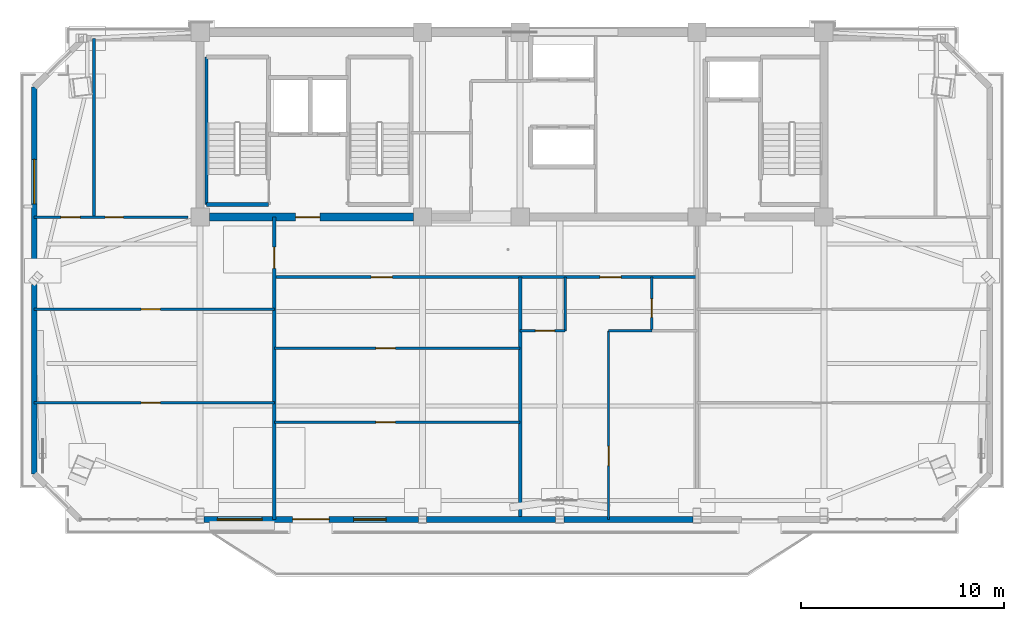
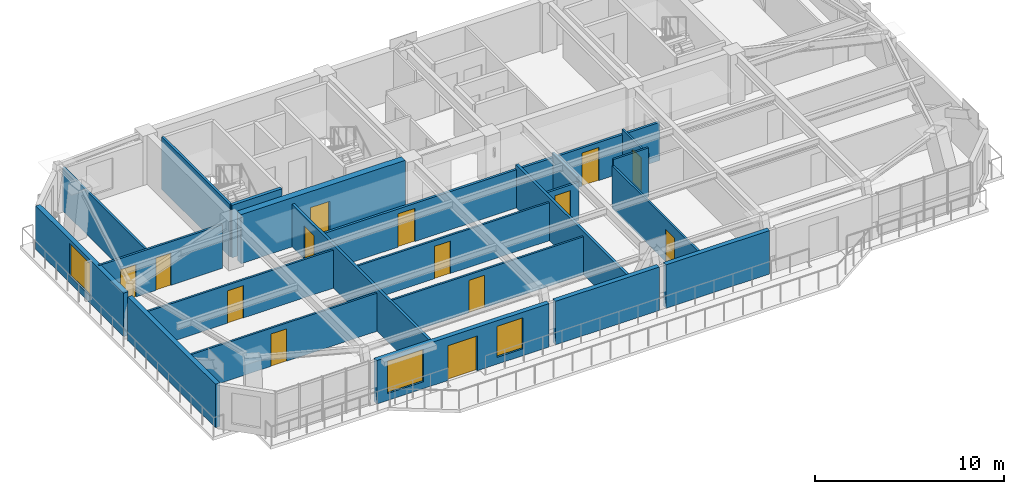
# One storey, part 6 of 12: 22 walls, 14 doors, 3 windows, 17 openings.
"""IFC4 building model written with IfcOpenShell, lengths in metres."""

import ifcopenshell
import ifcopenshell.guid

model = None  # the IFC model being written
_history = None  # IfcOwnerHistory: only IFC2X3 demands one
_inside = {}  # id of a spatial element -> (the spatial element, [elements in it])
_under = {}  # id of a project, library or spatial element -> (it, [spatial elements below it])
_declared = {}  # id of a project -> (the project, [libraries it declares])
_typed = {}  # id of a type object -> (the type object, [elements of that type])
_made_of = {}  # id of a material, layer set ... -> (it, [elements and type objects made of it])


def new_model(schema):
    """Start an empty IFC model of exactly this schema.

    Asked for "IFC4X3", IfcOpenShell would pick the latest addendum, in which some entities
    have other attributes; the version numbers below select the first issue.
    IFC2X3 requires an IfcOwnerHistory on every rooted entity: one is made here for all.
    """
    global model, _history
    if schema == "IFC4X3":
        model = ifcopenshell.file(schema_version=(4, 3, 0, 0))
    else:
        model = ifcopenshell.file(schema=schema)
    _inside.clear()
    _under.clear()
    _declared.clear()
    _typed.clear()
    _made_of.clear()
    _history = None
    if model.schema == "IFC2X3":
        org = make("IfcOrganization", Name="unknown")
        user = make(
            "IfcPersonAndOrganization",
            ThePerson=make("IfcPerson", FamilyName="unknown"),
            TheOrganization=org,
        )
        app = make(
            "IfcApplication",
            ApplicationDeveloper=org,
            Version="unknown",
            ApplicationFullName="unknown",
            ApplicationIdentifier="unknown",
        )
        _history = make(
            "IfcOwnerHistory",
            OwningUser=user,
            OwningApplication=app,
            ChangeAction="ADDED",
            CreationDate=0,
        )
    return model


def make(cls, **values):
    """One entity of the class cls with the attributes given. An attribute that is None is left unset."""
    return model.create_entity(
        cls, **{name: value for name, value in values.items() if value is not None}
    )


def rooted(cls, **values):
    """An entity with a GlobalId (a new one), such as an element, a storey or a relation."""
    return make(cls, GlobalId=ifcopenshell.guid.new(), OwnerHistory=_history, **values)


def si_unit(unit_type, name, prefix=None):
    """IfcSIUnit, for example si_unit("LENGTHUNIT", "METRE", prefix="MILLI")."""
    return make("IfcSIUnit", UnitType=unit_type, Prefix=prefix, Name=name)


def assignment(units):
    """IfcUnitAssignment: the units of a project."""
    return None if units is None else make("IfcUnitAssignment", Units=units)


def point(xyz):
    """IfcCartesianPoint."""
    return None if xyz is None else make("IfcCartesianPoint", Coordinates=xyz)


def direction(xyz):
    """IfcDirection."""
    return None if xyz is None else make("IfcDirection", DirectionRatios=xyz)


def frame(location, z_axis=None, x_axis=None):
    """IfcAxis2Placement3D, a coordinate frame: its origin and axes. An axis left out is left unset."""
    return make(
        "IfcAxis2Placement3D",
        Location=point(location),
        Axis=direction(z_axis),
        RefDirection=direction(x_axis),
    )


def frame_2d(location, x_axis=None):
    """IfcAxis2Placement2D, a coordinate frame in the plane: its origin and x axis."""
    return make(
        "IfcAxis2Placement2D", Location=point(location), RefDirection=direction(x_axis)
    )


def origin():
    """The frame at (0, 0, 0) with its axes left unset."""
    return frame((0.0, 0.0, 0.0))


def place(relative_to, where):
    """IfcLocalPlacement: puts the frame where relative to a parent placement (None: the world)."""
    return make(
        "IfcLocalPlacement", PlacementRelTo=relative_to, RelativePlacement=where
    )


def context(
    kind, dimensions, precision=None, world=None, true_north=None, identifier=None
):
    """IfcGeometricRepresentationContext, for example the 3D "Model" context."""
    return make(
        "IfcGeometricRepresentationContext",
        ContextIdentifier=identifier,
        ContextType=kind,
        CoordinateSpaceDimension=dimensions,
        Precision=precision,
        WorldCoordinateSystem=world,
        TrueNorth=true_north,
    )


def subcontext(parent, identifier, kind, view, scale=None):
    """IfcGeometricRepresentationSubContext, for example "Body" below "Model"."""
    return make(
        "IfcGeometricRepresentationSubContext",
        ContextIdentifier=identifier,
        ContextType=kind,
        ParentContext=parent,
        TargetScale=scale,
        TargetView=view,
    )


def project(units=None, contexts=None):
    """IfcProject with its units and contexts."""
    return rooted(
        "IfcProject",
        Name="project",
        RepresentationContexts=contexts,
        UnitsInContext=assignment(units),
    )


def spatial(cls, under=None, at=None, **own):
    """A site, building, storey or space (cls), placed at a placement, below another one or the project."""
    s = rooted(cls, ObjectPlacement=at, **own)
    if under is not None:
        _under.setdefault(under.id(), (under, []))[1].append(s)
    return s


def profile(cls, at=None, kind="AREA", **sizes):
    """A parametric profile (cls). Its sizes go by their IFC names, for example OverallWidth=200.0."""
    return make(cls, ProfileType=kind, Position=at, **sizes)


def rectangle(**sizes):
    """IfcRectangleProfileDef."""
    return profile("IfcRectangleProfileDef", **sizes)


def extrude(swept, where, along, depth):
    """IfcExtrudedAreaSolid: the profile swept, set in the frame where, extruded along a direction by depth."""
    return make(
        "IfcExtrudedAreaSolid",
        SweptArea=swept,
        Position=where,
        ExtrudedDirection=direction(along),
        Depth=depth,
    )


def shape(context_of_items, identifier, shape_type, items):
    """IfcShapeRepresentation: the items that make up one representation, for example the "Body"."""
    return make(
        "IfcShapeRepresentation",
        ContextOfItems=context_of_items,
        RepresentationIdentifier=identifier,
        RepresentationType=shape_type,
        Items=items,
    )


def source(mapping_origin, context_of_items, identifier, shape_type, items):
    """IfcRepresentationMap: a shape defined once, which mapped items show again and again."""
    return make(
        "IfcRepresentationMap",
        MappingOrigin=mapping_origin,
        MappedRepresentation=shape(context_of_items, identifier, shape_type, items),
    )


def transform(
    local_origin,
    x_axis=None,
    y_axis=None,
    z_axis=None,
    scale=None,
    scale2=None,
    scale3=None,
    uniform=True,
):
    """IfcCartesianTransformationOperator3D, or its non-uniform kind. x_axis, y_axis, z_axis: its Axis1, 2, 3."""
    if uniform:
        return make(
            "IfcCartesianTransformationOperator3D",
            Axis1=direction(x_axis),
            Axis2=direction(y_axis),
            LocalOrigin=point(local_origin),
            Scale=scale,
            Axis3=direction(z_axis),
        )
    return make(
        "IfcCartesianTransformationOperator3DnonUniform",
        Axis1=direction(x_axis),
        Axis2=direction(y_axis),
        LocalOrigin=point(local_origin),
        Scale=scale,
        Axis3=direction(z_axis),
        Scale2=scale2,
        Scale3=scale3,
    )


def mapped(mapping_source, mapping_target):
    """IfcMappedItem: shows the shape of a source again, moved by a transform."""
    return make(
        "IfcMappedItem", MappingSource=mapping_source, MappingTarget=mapping_target
    )


def material(Name=None, Category=None):
    """IfcMaterial."""
    return make("IfcMaterial", Name=Name, Category=Category)


def layer(
    of_material, thickness, ventilated=None, Name=None, Category=None, Priority=None
):
    """IfcMaterialLayer: one layer of a wall or slab, of a material (None: an air gap)."""
    return make(
        "IfcMaterialLayer",
        Material=of_material,
        LayerThickness=thickness,
        IsVentilated=ventilated,
        Name=Name,
        Category=Category,
        Priority=Priority,
    )


def layer_set(layers, Name=None):
    """IfcMaterialLayerSet."""
    return make("IfcMaterialLayerSet", MaterialLayers=layers, LayerSetName=Name)


def made_of(thing, what):
    """Note that an element or type object is made of a material, layer set ...; save() writes the relation."""
    if what is not None:
        _made_of.setdefault(what.id(), (what, []))[1].append(thing)
    return thing


def type_object(cls, material=None, **own):
    """A type object (cls), such as IfcWallType, which elements share."""
    return made_of(rooted(cls, **own), material)


def element(
    cls,
    number,
    at=None,
    inside=None,
    cuts=None,
    type_object=None,
    material=None,
    context=None,
    identifier="Body",
    shape_type=None,
    held_by="IfcProductDefinitionShape",
    body=None,
    shapes=None,
    **own,
):
    """One element of the class cls, such as IfcWall. Its Tag is "e" and its number.

    at: its placement. inside: the storey or other place that contains it. cuts: it is an
    opening in that element (IfcRelVoidsElement). A single representation is given by context,
    identifier, shape_type and body (its items); several are given by shapes. held_by: the class
    of the entity that holds the representations. save() writes the other relations.
    """
    e = rooted(cls, Tag="e%d" % number, ObjectPlacement=at, **own)
    if body is not None:
        shapes = [shape(context, identifier, shape_type, body)]
    if shapes is not None:
        e.Representation = make(held_by, Representations=shapes)
    if inside is not None:
        _inside.setdefault(inside.id(), (inside, []))[1].append(e)
    if cuts is not None:
        rooted(
            "IfcRelVoidsElement", RelatingBuildingElement=cuts, RelatedOpeningElement=e
        )
    if type_object is not None:
        _typed.setdefault(type_object.id(), (type_object, []))[1].append(e)
    return made_of(e, material)


def fill(opening, filler):
    """IfcRelFillsElement: the door or window that sits in an opening."""
    return rooted(
        "IfcRelFillsElement",
        RelatingOpeningElement=opening,
        RelatedBuildingElement=filler,
    )


def aggregate(whole, parts):
    """IfcRelAggregates: a whole, such as a stair, and the parts it consists of."""
    return rooted("IfcRelAggregates", RelatingObject=whole, RelatedObjects=parts)


def save(model, path):
    """Write the relations noted so far, then the file.

    IfcRelAggregates (storeys below a building ...), IfcRelContainedInSpatialStructure (elements
    in a storey), IfcRelDefinesByType, IfcRelAssociatesMaterial and IfcRelDeclares: one each for
    every whole, place, type object, material and project.
    """
    for whole, parts in _under.values():
        aggregate(whole, parts)
    for where, things in _inside.values():
        rooted(
            "IfcRelContainedInSpatialStructure",
            RelatedElements=things,
            RelatingStructure=where,
        )
    for kind, things in _typed.values():
        rooted("IfcRelDefinesByType", RelatedObjects=things, RelatingType=kind)
    for what, things in _made_of.values():
        rooted("IfcRelAssociatesMaterial", RelatedObjects=things, RelatingMaterial=what)
    for by, libraries in _declared.values():
        rooted("IfcRelDeclares", RelatingContext=by, RelatedDefinitions=libraries)
    model.write(path)


model = new_model("IFC4")

# Units and contexts
model_context = context("Model", 3, precision=1e-05, world=origin(), true_north=direction((0.0, 1.0)))
body_context = subcontext(model_context, "Body", "Model", "MODEL_VIEW")
ifc_project = project(units=[si_unit("LENGTHUNIT", "METRE"), si_unit("AREAUNIT", "SQUARE_METRE"), si_unit("VOLUMEUNIT", "CUBIC_METRE"), si_unit("PLANEANGLEUNIT", "RADIAN"), si_unit("MASSUNIT", "GRAM", prefix="KILO")], contexts=[model_context])

# Site, building, storey
site_placement = place(None, origin())
site = spatial("IfcSite", under=ifc_project, at=site_placement, CompositionType="ELEMENT")
building_placement = place(site_placement, origin())
building = spatial("IfcBuilding", under=site, at=building_placement, Name="Giltprow Tower", CompositionType="ELEMENT")
storey_placement = place(building_placement, frame((0.0, 0.0, 342.5)))
storey = spatial("IfcBuildingStorey", under=building, at=storey_placement, Name="L89", CompositionType="ELEMENT", Elevation=342.5)

# Wall, openings, windows, door
ifc_material_1 = material(Name="Precast concrete C40", Category="concrete")
ifc_layer_1 = layer(ifc_material_1, 0.280029296875, Name="Precast concrete C40")
ifc_layer_set_1 = layer_set([ifc_layer_1], Name="Precast concrete C40")
wall_type_1 = type_object("IfcWallType", Name="EW-TOW-BRONZE-280", PredefinedType="SOLIDWALL", material=ifc_layer_set_1)
wall_1_placement = place(storey_placement, frame((20.050048828125, 22.568115234375, 0.0), z_axis=(0.0, 0.0, 1.0), x_axis=(1.0, 0.0, 0.0)))
wall_1 = element("IfcWall", 1, at=wall_1_placement, inside=storey, type_object=wall_type_1, Name="L89 South Expressed Frame Wall 2", PredefinedType="SOLIDWALL", context=body_context, shape_type="SweptSolid", body=[
    extrude(rectangle(XDim=10.550048828125, YDim=0.280029296875, at=frame_2d((5.27490234375, 0.0))), origin(), (0.0, 0.0, 1.0), 2.81494140625),
])
opening_1_placement = place(wall_1_placement, frame((4.35009765625, 0.0, 0.0)))
opening_1 = element("IfcOpeningElement", 2, at=opening_1_placement, cuts=wall_1, Name="Opening ED25", PredefinedType="OPENING", context=body_context, shape_type="SweptSolid", body=[
    extrude(rectangle(XDim=1.800048828125, YDim=2.25, at=frame_2d((0.89990234375, 1.125))), frame((0.0, 0.14990234375, 0.0), z_axis=(0.0, -1.0, 0.0), x_axis=(1.0, 0.0, 0.0)), (0.0, 0.0, 1.0), 0.300048828125),
])
opening_2_placement = place(wall_1_placement, frame((0.64990234375, 0.0, 0.449951171875)))
opening_2 = element("IfcOpeningElement", 3, at=opening_2_placement, cuts=wall_1, Name="Opening WN27", PredefinedType="OPENING", context=body_context, shape_type="SweptSolid", body=[
    extrude(rectangle(XDim=2.199951171875, YDim=2.10009765625, at=frame_2d((1.10009765625, 1.050048828125))), frame((0.0, 0.14990234375, 0.0), z_axis=(0.0, -1.0, 0.0), x_axis=(1.0, 0.0, 0.0)), (0.0, 0.0, 1.0), 0.300048828125),
])
opening_3_placement = place(wall_1_placement, frame((7.35009765625, 0.0, 0.449951171875)))
opening_3 = element("IfcOpeningElement", 4, at=opening_3_placement, cuts=wall_1, Name="Opening WN17", PredefinedType="OPENING", context=body_context, shape_type="SweptSolid", body=[
    extrude(rectangle(XDim=1.60009765625, YDim=2.0, at=frame_2d((0.800048828125, 1.0))), frame((0.0, 0.14990234375, 0.0), z_axis=(0.0, -1.0, 0.0), x_axis=(1.0, 0.0, 0.0)), (0.0, 0.0, 1.0), 0.300048828125),
])
ifc_material_2 = material(Name="Insulated glass", Category="glass")
window_type_1 = type_object("IfcWindowType", Name="WN-COR-1600x2000", PartitioningType="SINGLE_PANEL", PredefinedType="WINDOW", material=ifc_material_2)
shared_shape_1 = source(origin(), body_context, "Body", "SweptSolid", [
    extrude(rectangle(XDim=1.60009765625, YDim=2.0, at=frame_2d((0.800048828125, 1.0))), frame((0.0, 0.030029296875, 0.0), z_axis=(0.0, -1.0, 0.0), x_axis=(1.0, 0.0, 0.0)), (0.0, 0.0, 1.0), 0.06005859375),
])
window_1_placement = place(opening_3_placement, origin())
window_1 = element("IfcWindow", 5, at=window_1_placement, inside=storey, type_object=window_type_1, Name="L89 South Window 2B", OverallHeight=2.0, OverallWidth=1.60009765625, PartitioningType="SINGLE_PANEL", PredefinedType="WINDOW", context=body_context, shape_type="MappedRepresentation", body=[
    mapped(shared_shape_1, transform((0.0, 0.0, 0.0), x_axis=(1.0, 0.0, 0.0), y_axis=(0.0, 1.0, 0.0), z_axis=(0.0, 0.0, 1.0), scale=1.0)),
])
fill(opening_3, window_1)
ifc_material_3 = material(Name="Anodized bronze and glass", Category="glass")
door_type_1 = type_object("IfcDoorType", Name="DR-BALC-SLIDE-1800", OperationType="SLIDING_TO_LEFT", PredefinedType="DOOR", material=ifc_material_3)
shared_shape_2 = source(origin(), body_context, "Body", "SweptSolid", [
    extrude(rectangle(XDim=1.800048828125, YDim=2.25, at=frame_2d((0.89990234375, 1.125))), frame((0.0, 0.02490234375, 0.0), z_axis=(0.0, -1.0, 0.0), x_axis=(1.0, 0.0, 0.0)), (0.0, 0.0, 1.0), 0.050048828125),
])
door_1_placement = place(opening_1_placement, origin())
door_1 = element("IfcDoor", 6, at=door_1_placement, inside=storey, type_object=door_type_1, Name="L89 Waterfront Balcony Sliding Door 1", OperationType="SLIDING_TO_LEFT", OverallHeight=2.25, OverallWidth=1.800048828125, PredefinedType="DOOR", context=body_context, shape_type="MappedRepresentation", body=[
    mapped(shared_shape_2, transform((0.0, 0.0, 0.0), x_axis=(1.0, 0.0, 0.0), y_axis=(0.0, 1.0, 0.0), z_axis=(0.0, 0.0, 1.0), scale=1.0)),
])
fill(opening_1, door_1)
window_type_2 = type_object("IfcWindowType", Name="WN-RES-2200x2100", PartitioningType="TRIPLE_PANEL_VERTICAL", PredefinedType="WINDOW", material=ifc_material_2)
shared_shape_3 = source(origin(), body_context, "Body", "SweptSolid", [
    extrude(rectangle(XDim=2.199951171875, YDim=2.10009765625, at=frame_2d((1.10009765625, 1.050048828125))), frame((0.0, 0.030029296875, 0.0), z_axis=(0.0, -1.0, 0.0), x_axis=(1.0, 0.0, 0.0)), (0.0, 0.0, 1.0), 0.06005859375),
])
window_2_placement = place(opening_2_placement, origin())
window_2 = element("IfcWindow", 7, at=window_2_placement, inside=storey, type_object=window_type_2, Name="L89 South Window 2A", OverallHeight=2.10009765625, OverallWidth=2.199951171875, PartitioningType="SINGLE_PANEL", PredefinedType="WINDOW", context=body_context, shape_type="MappedRepresentation", body=[
    mapped(shared_shape_3, transform((0.0, 0.0, 0.0), x_axis=(1.0, 0.0, 0.0), y_axis=(0.0, 1.0, 0.0), z_axis=(0.0, 0.0, 1.0), scale=1.0)),
])
fill(opening_2, window_2)

# Walls
for number, where, z_axis, x_axis, name in (
    (8, (31.0, 22.568115234375, 0.0), (0.0, 0.0, 1.0), (1.0, 0.0, 0.0), "L89 South Expressed Frame Wall 3"),
    (9, (37.75, 22.568115234375, 0.0), (0.0, 0.0, 1.0), (1.0, 0.0, 0.0), "L89 South Expressed Frame Wall 4"),
):
    element("IfcWall", number, at=place(storey_placement, frame(where, z_axis=z_axis, x_axis=x_axis)), inside=storey, type_object=wall_type_1, Name=name, PredefinedType="SOLIDWALL", context=body_context, shape_type="SweptSolid", body=[
        extrude(rectangle(XDim=6.35009765625, YDim=0.280029296875, at=frame_2d((3.175048828125, 0.0))), origin(), (0.0, 0.0, 1.0), 2.81494140625),
    ])
wall_2_placement = place(storey_placement, frame((11.68505859375, 24.81396484375, 0.0), z_axis=(0.0, 0.0, 1.0), x_axis=(0.0, 1.0, 0.0)))
element("IfcWall", 10, at=wall_2_placement, inside=storey, type_object=wall_type_1, Name="L89 W Wing Masonry Wall 1", PredefinedType="SOLIDWALL", context=body_context, shape_type="SweptSolid", body=[
    extrude(rectangle(XDim=9.320068359375, YDim=0.280029296875, at=frame_2d((4.66015625, 0.0))), origin(), (0.0, 0.0, 1.0), 2.81494140625),
])

# Wall, opening, window
wall_3_placement = place(storey_placement, frame((11.68505859375, 34.533935546875, 0.0), z_axis=(0.0, 0.0, 1.0), x_axis=(0.0, 1.0, 0.0)))
wall_3 = element("IfcWall", 11, at=wall_3_placement, inside=storey, type_object=wall_type_1, Name="L89 W Wing Masonry Wall 2", PredefinedType="SOLIDWALL", context=body_context, shape_type="SweptSolid", body=[
    extrude(rectangle(XDim=9.320068359375, YDim=0.280029296875, at=frame_2d((4.66015625, 0.0))), origin(), (0.0, 0.0, 1.0), 2.81494140625),
])
opening_4_placement = place(wall_3_placement, frame((3.56005859375, 0.0, 0.449951171875)))
opening_4 = element("IfcOpeningElement", 12, at=opening_4_placement, cuts=wall_3, Name="Opening WN27", PredefinedType="OPENING", context=body_context, shape_type="SweptSolid", body=[
    extrude(rectangle(XDim=2.199951171875, YDim=2.10009765625, at=frame_2d((1.10009765625, 1.050048828125))), frame((0.0, 0.14990234375, 0.0), z_axis=(0.0, -1.0, 0.0), x_axis=(1.0, 0.0, 0.0)), (0.0, 0.0, 1.0), 0.300048828125),
])
window_3_placement = place(opening_4_placement, origin())
window_3 = element("IfcWindow", 13, at=window_3_placement, inside=storey, type_object=window_type_2, Name="L89 W Wing Window 2-1", OverallHeight=2.10009765625, OverallWidth=2.199951171875, PartitioningType="SINGLE_PANEL", PredefinedType="WINDOW", context=body_context, shape_type="MappedRepresentation", body=[
    mapped(shared_shape_3, transform((0.0, 0.0, 0.0), x_axis=(1.0, 0.0, 0.0), y_axis=(0.0, 1.0, 0.0), z_axis=(0.0, 0.0, 1.0), scale=1.0)),
])
fill(opening_4, window_3)

# Wall, openings, doors
ifc_material_4 = material(Name="Gypsum stud partition", Category="gypsum")
ifc_layer_2 = layer(ifc_material_4, 0.14990234375, Name="Gypsum stud partition")
ifc_layer_set_2 = layer_set([ifc_layer_2], Name="Gypsum stud partition")
wall_type_2 = type_object("IfcWallType", Name="IW-CORR-150", PredefinedType="PARTITIONING", material=ifc_layer_set_2)
wall_4_placement = place(storey_placement, frame((23.5, 34.5, 0.0), z_axis=(0.0, 0.0, 1.0), x_axis=(1.0, 0.0, 0.0)))
wall_4 = element("IfcWall", 14, at=wall_4_placement, inside=storey, type_object=wall_type_2, Name="L89 Residence Gallery Corridor Wall", PredefinedType="PARTITIONING", context=body_context, shape_type="SweptSolid", body=[
    extrude(rectangle(XDim=20.800048828125, YDim=0.14990234375, at=frame_2d((10.39990234375, 0.0))), origin(), (0.0, 0.0, 1.0), 2.469970703125),
])
opening_5_placement = place(wall_4_placement, frame((4.76708984375, 0.0, 0.0)))
opening_5 = element("IfcOpeningElement", 15, at=opening_5_placement, cuts=wall_4, Name="Opening ID31", PredefinedType="OPENING", context=body_context, shape_type="SweptSolid", body=[
    extrude(rectangle(XDim=1.050048828125, YDim=2.14990234375, at=frame_2d((0.52490234375, 1.074951171875))), frame((0.0, 0.0849609375, 0.0), z_axis=(0.0, -1.0, 0.0), x_axis=(1.0, 0.0, 0.0)), (0.0, 0.0, 1.0), 0.169921875),
])
opening_6_placement = place(wall_4_placement, frame((16.02490234375, 0.0, 0.0)))
opening_6 = element("IfcOpeningElement", 16, at=opening_6_placement, cuts=wall_4, Name="Opening ID31", PredefinedType="OPENING", context=body_context, shape_type="SweptSolid", body=[
    extrude(rectangle(XDim=1.050048828125, YDim=2.14990234375, at=frame_2d((0.52490234375, 1.074951171875))), frame((0.0, 0.0849609375, 0.0), z_axis=(0.0, -1.0, 0.0), x_axis=(1.0, 0.0, 0.0)), (0.0, 0.0, 1.0), 0.169921875),
])
ifc_material_5 = material(Name="Engineered timber", Category="wood")
door_type_2 = type_object("IfcDoorType", Name="DR-SUITE-1050", OperationType="SINGLE_SWING_LEFT", PredefinedType="DOOR", material=ifc_material_5)
shared_shape_4 = source(origin(), body_context, "Body", "SweptSolid", [
    extrude(rectangle(XDim=1.050048828125, YDim=2.14990234375, at=frame_2d((0.52490234375, 1.074951171875))), frame((0.0, 0.02490234375, 0.0), z_axis=(0.0, -1.0, 0.0), x_axis=(1.0, 0.0, 0.0)), (0.0, 0.0, 1.0), 0.050048828125),
])
door_2_placement = place(opening_5_placement, origin())
door_2 = element("IfcDoor", 17, at=door_2_placement, inside=storey, type_object=door_type_2, Name="L89 Residents Sky Club Lounge North Door", OperationType="SINGLE_SWING_RIGHT", OverallHeight=2.14990234375, OverallWidth=1.050048828125, PredefinedType="DOOR", context=body_context, shape_type="MappedRepresentation", body=[
    mapped(shared_shape_4, transform((0.0, 0.0, 0.0), x_axis=(1.0, 0.0, 0.0), y_axis=(0.0, 1.0, 0.0), z_axis=(0.0, 0.0, 1.0), scale=1.0)),
])
fill(opening_5, door_2)
door_3_placement = place(opening_6_placement, origin())
door_3 = element("IfcDoor", 18, at=door_3_placement, inside=storey, type_object=door_type_2, Name="L89 Unit 1 Entrance Door", OperationType="SINGLE_SWING_LEFT", OverallHeight=2.14990234375, OverallWidth=1.050048828125, PredefinedType="DOOR", context=body_context, shape_type="MappedRepresentation", body=[
    mapped(shared_shape_4, transform((0.0, 0.0, 0.0), x_axis=(1.0, 0.0, 0.0), y_axis=(0.0, 1.0, 0.0), z_axis=(0.0, 0.0, 1.0), scale=1.0)),
])
fill(opening_6, door_3)

# Wall, opening, door
ifc_layer_3 = layer(ifc_material_4, 0.159912109375, Name="Gypsum stud partition")
ifc_layer_set_3 = layer_set([ifc_layer_3], Name="Gypsum stud partition")
wall_type_3 = type_object("IfcWallType", Name="IW-DEMISE-160", PredefinedType="PARTITIONING", material=ifc_layer_set_3)
wall_5_placement = place(storey_placement, frame((23.5, 22.568115234375, 0.0), z_axis=(0.0, 0.0, 1.0), x_axis=(0.0, 1.0, 0.0)))
wall_5 = element("IfcWall", 19, at=wall_5_placement, inside=storey, type_object=wall_type_3, Name="L89 Apartment Party Wall 1", PredefinedType="PARTITIONING", context=body_context, shape_type="SweptSolid", body=[
    extrude(rectangle(XDim=14.8818359375, YDim=0.159912109375, at=frame_2d((7.44091796875, 0.0))), origin(), (0.0, 0.0, 1.0), 2.77001953125),
])
opening_7_placement = place(wall_5_placement, frame((12.35205078125, 0.0, 0.0)))
opening_7 = element("IfcOpeningElement", 20, at=opening_7_placement, cuts=wall_5, Name="Opening ID31", PredefinedType="OPENING", context=body_context, shape_type="SweptSolid", body=[
    extrude(rectangle(XDim=1.050048828125, YDim=2.14990234375, at=frame_2d((0.52490234375, 1.074951171875))), frame((0.0, 0.08984375, 0.0), z_axis=(0.0, -1.0, 0.0), x_axis=(1.0, 0.0, 0.0)), (0.0, 0.0, 1.0), 0.179931640625),
])
door_4_placement = place(opening_7_placement, origin())
door_4 = element("IfcDoor", 21, at=door_4_placement, inside=storey, type_object=door_type_2, Name="L89 Penthouse Art Gallery Shop 1 Corridor End Door", OperationType="SINGLE_SWING_LEFT", OverallHeight=2.14990234375, OverallWidth=1.050048828125, PredefinedType="DOOR", context=body_context, shape_type="MappedRepresentation", body=[
    mapped(shared_shape_4, transform((0.0, 0.0, 0.0), x_axis=(1.0, 0.0, 0.0), y_axis=(0.0, 1.0, 0.0), z_axis=(0.0, 0.0, 1.0), scale=1.0)),
])
fill(opening_7, door_4)

# Wall
wall_6_placement = place(storey_placement, frame((35.60009765625, 22.568115234375, 0.0), z_axis=(0.0, 0.0, 1.0), x_axis=(0.0, 1.0, 0.0)))
element("IfcWall", 22, at=wall_6_placement, inside=storey, type_object=wall_type_3, Name="L89 Apartment Party Wall 2", PredefinedType="PARTITIONING", context=body_context, shape_type="SweptSolid", body=[
    extrude(rectangle(XDim=11.931884765625, YDim=0.159912109375, at=frame_2d((5.9658203125, 0.0))), origin(), (0.0, 0.0, 1.0), 2.77001953125),
])

# Wall, opening, door
ifc_layer_4 = layer(ifc_material_4, 0.1201171875, Name="Gypsum stud partition")
ifc_layer_set_4 = layer_set([ifc_layer_4], Name="Gypsum stud partition")
wall_type_4 = type_object("IfcWallType", Name="IW-ROOM-120", PredefinedType="PARTITIONING", material=ifc_layer_set_4)
wall_7_placement = place(storey_placement, frame((11.68505859375, 28.306884765625, 0.0), z_axis=(0.0, 0.0, 1.0), x_axis=(1.0, 0.0, 0.0)))
wall_7 = element("IfcWall", 23, at=wall_7_placement, inside=storey, type_object=wall_type_4, Name="L89 Special Split 1", PredefinedType="PARTITIONING", context=body_context, shape_type="SweptSolid", body=[
    extrude(rectangle(XDim=11.81494140625, YDim=0.1201171875, at=frame_2d((5.907470703125, 0.0))), origin(), (0.0, 0.0, 1.0), 2.469970703125),
])
opening_8_placement = place(wall_7_placement, frame((5.260986328125, 0.0, 0.0)))
opening_8 = element("IfcOpeningElement", 24, at=opening_8_placement, cuts=wall_7, Name="Opening ID11", PredefinedType="OPENING", context=body_context, shape_type="SweptSolid", body=[
    extrude(rectangle(XDim=0.949951171875, YDim=2.10009765625, at=frame_2d((0.47509765625, 1.050048828125))), frame((0.0, 0.070068359375, 0.0), z_axis=(0.0, -1.0, 0.0), x_axis=(1.0, 0.0, 0.0)), (0.0, 0.0, 1.0), 0.14013671875),
])
door_type_3 = type_object("IfcDoorType", Name="DR-ROOM-950", OperationType="SINGLE_SWING_RIGHT", PredefinedType="DOOR", material=ifc_material_5)
shared_shape_5 = source(origin(), body_context, "Body", "SweptSolid", [
    extrude(rectangle(XDim=0.949951171875, YDim=2.10009765625, at=frame_2d((0.47509765625, 1.050048828125))), frame((0.0, 0.02490234375, 0.0), z_axis=(0.0, -1.0, 0.0), x_axis=(1.0, 0.0, 0.0)), (0.0, 0.0, 1.0), 0.050048828125),
])
door_5_placement = place(opening_8_placement, origin())
door_5 = element("IfcDoor", 25, at=door_5_placement, inside=storey, type_object=door_type_3, Name="L89 Penthouse Art Gallery Shop 1 South Door", OperationType="SINGLE_SWING_LEFT", OverallHeight=2.10009765625, OverallWidth=0.949951171875, PredefinedType="DOOR", context=body_context, shape_type="MappedRepresentation", body=[
    mapped(shared_shape_5, transform((0.0, 0.0, 0.0), x_axis=(1.0, 0.0, 0.0), y_axis=(0.0, 1.0, 0.0), z_axis=(0.0, 0.0, 1.0), scale=1.0)),
])
fill(opening_8, door_5)

wall_8_placement = place(storey_placement, frame((11.68505859375, 32.9140625, 0.0), z_axis=(0.0, 0.0, 1.0), x_axis=(1.0, 0.0, 0.0)))
wall_8 = element("IfcWall", 26, at=wall_8_placement, inside=storey, type_object=wall_type_4, Name="L89 Special Split 2", PredefinedType="PARTITIONING", context=body_context, shape_type="SweptSolid", body=[
    extrude(rectangle(XDim=11.81494140625, YDim=0.1201171875, at=frame_2d((5.907470703125, 0.0))), origin(), (0.0, 0.0, 1.0), 2.469970703125),
])
opening_9_placement = place(wall_8_placement, frame((5.260986328125, 0.0, 0.0)))
opening_9 = element("IfcOpeningElement", 27, at=opening_9_placement, cuts=wall_8, Name="Opening ID11", PredefinedType="OPENING", context=body_context, shape_type="SweptSolid", body=[
    extrude(rectangle(XDim=0.949951171875, YDim=2.10009765625, at=frame_2d((0.47509765625, 1.050048828125))), frame((0.0, 0.070068359375, 0.0), z_axis=(0.0, -1.0, 0.0), x_axis=(1.0, 0.0, 0.0)), (0.0, 0.0, 1.0), 0.14013671875),
])
door_6_placement = place(opening_9_placement, origin())
door_6 = element("IfcDoor", 28, at=door_6_placement, inside=storey, type_object=door_type_3, Name="L89 Penthouse Art Gallery Shop 1 Mid Door", OperationType="SINGLE_SWING_RIGHT", OverallHeight=2.10009765625, OverallWidth=0.949951171875, PredefinedType="DOOR", context=body_context, shape_type="MappedRepresentation", body=[
    mapped(shared_shape_5, transform((0.0, 0.0, 0.0), x_axis=(1.0, 0.0, 0.0), y_axis=(0.0, 1.0, 0.0), z_axis=(0.0, 0.0, 1.0), scale=1.0)),
])
fill(opening_9, door_6)

wall_9_placement = place(storey_placement, frame((23.5, 27.344970703125, 0.0), z_axis=(0.0, 0.0, 1.0), x_axis=(1.0, 0.0, 0.0)))
wall_9 = element("IfcWall", 29, at=wall_9_placement, inside=storey, type_object=wall_type_4, Name="L89 Special Split 1", PredefinedType="PARTITIONING", context=body_context, shape_type="SweptSolid", body=[
    extrude(rectangle(XDim=12.10009765625, YDim=0.1201171875, at=frame_2d((6.050048828125, 0.0))), origin(), (0.0, 0.0, 1.0), 2.469970703125),
])
opening_10_placement = place(wall_9_placement, frame((5.006103515625, 0.0, 0.0)))
opening_10 = element("IfcOpeningElement", 30, at=opening_10_placement, cuts=wall_9, Name="Opening ID11", PredefinedType="OPENING", context=body_context, shape_type="SweptSolid", body=[
    extrude(rectangle(XDim=0.949951171875, YDim=2.10009765625, at=frame_2d((0.47509765625, 1.050048828125))), frame((0.0, 0.070068359375, 0.0), z_axis=(0.0, -1.0, 0.0), x_axis=(1.0, 0.0, 0.0)), (0.0, 0.0, 1.0), 0.14013671875),
])
door_7_placement = place(opening_10_placement, origin())
door_7 = element("IfcDoor", 31, at=door_7_placement, inside=storey, type_object=door_type_3, Name="L89 Residents Sky Club Lounge South Door", OperationType="SINGLE_SWING_RIGHT", OverallHeight=2.10009765625, OverallWidth=0.949951171875, PredefinedType="DOOR", context=body_context, shape_type="MappedRepresentation", body=[
    mapped(shared_shape_5, transform((0.0, 0.0, 0.0), x_axis=(1.0, 0.0, 0.0), y_axis=(0.0, 1.0, 0.0), z_axis=(0.0, 0.0, 1.0), scale=1.0)),
])
fill(opening_10, door_7)

wall_10_placement = place(storey_placement, frame((23.5, 30.989990234375, 0.0), z_axis=(0.0, 0.0, 1.0), x_axis=(1.0, 0.0, 0.0)))
wall_10 = element("IfcWall", 32, at=wall_10_placement, inside=storey, type_object=wall_type_4, Name="L89 Special Split 2", PredefinedType="PARTITIONING", context=body_context, shape_type="SweptSolid", body=[
    extrude(rectangle(XDim=12.10009765625, YDim=0.1201171875, at=frame_2d((6.050048828125, 0.0))), origin(), (0.0, 0.0, 1.0), 2.469970703125),
])
opening_11_placement = place(wall_10_placement, frame((5.006103515625, 0.0, 0.0)))
opening_11 = element("IfcOpeningElement", 33, at=opening_11_placement, cuts=wall_10, Name="Opening ID11", PredefinedType="OPENING", context=body_context, shape_type="SweptSolid", body=[
    extrude(rectangle(XDim=0.949951171875, YDim=2.10009765625, at=frame_2d((0.47509765625, 1.050048828125))), frame((0.0, 0.070068359375, 0.0), z_axis=(0.0, -1.0, 0.0), x_axis=(1.0, 0.0, 0.0)), (0.0, 0.0, 1.0), 0.14013671875),
])
door_8_placement = place(opening_11_placement, origin())
door_8 = element("IfcDoor", 34, at=door_8_placement, inside=storey, type_object=door_type_3, Name="L89 Residents Sky Club Lounge Mid Door", OperationType="SINGLE_SWING_LEFT", OverallHeight=2.10009765625, OverallWidth=0.949951171875, PredefinedType="DOOR", context=body_context, shape_type="MappedRepresentation", body=[
    mapped(shared_shape_5, transform((0.0, 0.0, 0.0), x_axis=(1.0, 0.0, 0.0), y_axis=(0.0, 1.0, 0.0), z_axis=(0.0, 0.0, 1.0), scale=1.0)),
])
fill(opening_11, door_8)

# Wall
wall_11_placement = place(storey_placement, frame((39.949951171875, 31.85009765625, 0.0), z_axis=(0.0, 0.0, 1.0), x_axis=(1.0, 0.0, 0.0)))
element("IfcWall", 35, at=wall_11_placement, inside=storey, type_object=wall_type_4, Name="L89 Unit 1 Bedroom North Wall", PredefinedType="PARTITIONING", context=body_context, shape_type="SweptSolid", body=[
    extrude(rectangle(XDim=2.135009765625, YDim=0.1201171875, at=frame_2d((1.0673828125, 0.0))), origin(), (0.0, 0.0, 1.0), 3.18505859375),
])

# Wall, opening, door
wall_12_placement = place(storey_placement, frame((39.949951171875, 22.568115234375, 0.0), z_axis=(0.0, 0.0, 1.0), x_axis=(0.0, 1.0, 0.0)))
wall_12 = element("IfcWall", 36, at=wall_12_placement, inside=storey, type_object=wall_type_4, Name="L89 Unit 1 Bedroom Wall", PredefinedType="PARTITIONING", context=body_context, shape_type="SweptSolid", body=[
    extrude(rectangle(XDim=9.281982421875, YDim=0.1201171875, at=frame_2d((4.64111328125, 0.0))), origin(), (0.0, 0.0, 1.0), 2.77001953125),
])
opening_12_placement = place(wall_12_placement, frame((2.652099609375, 0.0, 0.0)))
opening_12 = element("IfcOpeningElement", 37, at=opening_12_placement, cuts=wall_12, Name="Opening ID11", PredefinedType="OPENING", context=body_context, shape_type="SweptSolid", body=[
    extrude(rectangle(XDim=0.949951171875, YDim=2.10009765625, at=frame_2d((0.47509765625, 1.050048828125))), frame((0.0, 0.070068359375, 0.0), z_axis=(0.0, -1.0, 0.0), x_axis=(1.0, 0.0, 0.0)), (0.0, 0.0, 1.0), 0.14013671875),
])
door_9_placement = place(opening_12_placement, origin())
door_9 = element("IfcDoor", 38, at=door_9_placement, inside=storey, type_object=door_type_3, Name="L89 Unit 1 Primary Bedroom Door", OperationType="SINGLE_SWING_RIGHT", OverallHeight=2.10009765625, OverallWidth=0.949951171875, PredefinedType="DOOR", context=body_context, shape_type="MappedRepresentation", body=[
    mapped(shared_shape_5, transform((0.0, 0.0, 0.0), x_axis=(1.0, 0.0, 0.0), y_axis=(0.0, 1.0, 0.0), z_axis=(0.0, 0.0, 1.0), scale=1.0)),
])
fill(opening_12, door_9)

# Walls
ifc_material_6 = material(Name="Concrete C45", Category="concrete")
ifc_layer_5 = layer(ifc_material_6, 0.139892578125, Name="Concrete C45")
ifc_layer_set_5 = layer_set([ifc_layer_5], Name="Concrete C45")
wall_type_5 = type_object("IfcWallType", Name="IW-STAIR-140", PredefinedType="SOLIDWALL", material=ifc_layer_set_5)
wall_13_placement = place(storey_placement, frame((20.169921875, 38.070068359375, 0.0), z_axis=(0.0, 0.0, 1.0), x_axis=(0.0, 1.0, 0.0)))
element("IfcWall", 39, at=wall_13_placement, inside=storey, type_object=wall_type_5, Name="L89 Stair ST-1 West Bearing Wall", PredefinedType="SOLIDWALL", context=body_context, shape_type="SweptSolid", body=[
    extrude(rectangle(XDim=7.25, YDim=0.139892578125, at=frame_2d((3.625, 0.0))), origin(), (0.0, 0.0, 1.0), 3.39990234375),
])
ifc_material_7 = material(Name="Concrete C40", Category="concrete")
ifc_layer_6 = layer(ifc_material_7, 0.199951171875, Name="Concrete C40")
ifc_layer_set_6 = layer_set([ifc_layer_6], Name="Concrete C40")
wall_type_6 = type_object("IfcWallType", Name="IW-STAIR-200", PredefinedType="SOLIDWALL", material=ifc_layer_set_6)
wall_14_placement = place(storey_placement, frame((20.169921875, 38.070068359375, 0.0), z_axis=(0.0, 0.0, 1.0), x_axis=(1.0, 0.0, 0.0)))
element("IfcWall", 40, at=wall_14_placement, inside=storey, type_object=wall_type_6, Name="L89 Stair ST-1 South Bearing Wall", PredefinedType="SOLIDWALL", context=body_context, shape_type="SweptSolid", body=[
    extrude(rectangle(XDim=3.050048828125, YDim=0.199951171875, at=frame_2d((1.52490234375, 0.0))), origin(), (0.0, 0.0, 1.0), 3.39990234375),
])

# Wall, opening, door
ifc_material_8 = material(Name="Concrete C30", Category="concrete")
ifc_layer_7 = layer(ifc_material_8, 0.1298828125, Name="Concrete C30")
ifc_layer_set_7 = layer_set([ifc_layer_7], Name="Concrete C30")
wall_type_7 = type_object("IfcWallType", Name="IW-WET-130", PredefinedType="PARTITIONING", material=ifc_layer_set_7)
wall_15_placement = place(storey_placement, frame((35.60009765625, 31.85009765625, 0.0), z_axis=(0.0, 0.0, 1.0), x_axis=(1.0, 0.0, 0.0)))
wall_15 = element("IfcWall", 41, at=wall_15_placement, inside=storey, type_object=wall_type_7, Name="L89 Unit 1 Kitchen South Wall", PredefinedType="PARTITIONING", context=body_context, shape_type="SweptSolid", body=[
    extrude(rectangle(XDim=2.21484375, YDim=0.1298828125, at=frame_2d((1.107421875, 0.0))), origin(), (0.0, 0.0, 1.0), 2.469970703125),
])
opening_13_placement = place(wall_15_placement, frame((0.751953125, 0.0, 0.0)))
opening_13 = element("IfcOpeningElement", 42, at=opening_13_placement, cuts=wall_15, Name="Opening ID11", PredefinedType="OPENING", context=body_context, shape_type="SweptSolid", body=[
    extrude(rectangle(XDim=0.949951171875, YDim=2.10009765625, at=frame_2d((0.47509765625, 1.050048828125))), frame((0.0, 0.074951171875, 0.0), z_axis=(0.0, -1.0, 0.0), x_axis=(1.0, 0.0, 0.0)), (0.0, 0.0, 1.0), 0.14990234375),
])
door_10_placement = place(opening_13_placement, origin())
door_10 = element("IfcDoor", 43, at=door_10_placement, inside=storey, type_object=door_type_3, Name="L89 Unit 1 Kitchen Door", OperationType="SINGLE_SWING_RIGHT", OverallHeight=2.10009765625, OverallWidth=0.949951171875, PredefinedType="DOOR", context=body_context, shape_type="MappedRepresentation", body=[
    mapped(shared_shape_5, transform((0.0, 0.0, 0.0), x_axis=(1.0, 0.0, 0.0), y_axis=(0.0, 1.0, 0.0), z_axis=(0.0, 0.0, 1.0), scale=1.0)),
])
fill(opening_13, door_10)

# Wall
wall_16_placement = place(storey_placement, frame((37.81494140625, 31.85009765625, 0.0), z_axis=(0.0, 0.0, 1.0), x_axis=(0.0, 1.0, 0.0)))
element("IfcWall", 44, at=wall_16_placement, inside=storey, type_object=wall_type_7, Name="L89 Unit 1 Kitchen East Wall", PredefinedType="PARTITIONING", context=body_context, shape_type="SweptSolid", body=[
    extrude(rectangle(XDim=2.64990234375, YDim=0.1298828125, at=frame_2d((1.324951171875, 0.0))), origin(), (0.0, 0.0, 1.0), 2.77001953125),
])

# Wall, opening, door
wall_17_placement = place(storey_placement, frame((42.0849609375, 31.85009765625, 0.0), z_axis=(0.0, 0.0, 1.0), x_axis=(0.0, 1.0, 0.0)))
wall_17 = element("IfcWall", 45, at=wall_17_placement, inside=storey, type_object=wall_type_7, Name="L89 Unit 1 Bathroom West Wall", PredefinedType="PARTITIONING", context=body_context, shape_type="SweptSolid", body=[
    extrude(rectangle(XDim=2.64990234375, YDim=0.1298828125, at=frame_2d((1.324951171875, 0.0))), origin(), (0.0, 0.0, 1.0), 2.77001953125),
])
opening_14_placement = place(wall_17_placement, frame((0.669921875, 0.0, 0.0)))
opening_14 = element("IfcOpeningElement", 46, at=opening_14_placement, cuts=wall_17, Name="Opening ID15", PredefinedType="OPENING", context=body_context, shape_type="SweptSolid", body=[
    extrude(rectangle(XDim=0.89990234375, YDim=2.10009765625, at=frame_2d((0.449951171875, 1.050048828125))), frame((0.0, 0.074951171875, 0.0), z_axis=(0.0, -1.0, 0.0), x_axis=(1.0, 0.0, 0.0)), (0.0, 0.0, 1.0), 0.14990234375),
])
door_type_4 = type_object("IfcDoorType", Name="DR-WC-900", OperationType="SINGLE_SWING_LEFT", PredefinedType="DOOR", material=ifc_material_5)
shared_shape_6 = source(origin(), body_context, "Body", "SweptSolid", [
    extrude(rectangle(XDim=0.89990234375, YDim=2.10009765625, at=frame_2d((0.449951171875, 1.050048828125))), frame((0.0, 0.02490234375, 0.0), z_axis=(0.0, -1.0, 0.0), x_axis=(1.0, 0.0, 0.0)), (0.0, 0.0, 1.0), 0.050048828125),
])
door_11_placement = place(opening_14_placement, origin())
door_11 = element("IfcDoor", 47, at=door_11_placement, inside=storey, type_object=door_type_4, Name="L89 Unit 1 Bathroom Door", OperationType="SINGLE_SWING_LEFT", OverallHeight=2.10009765625, OverallWidth=0.89990234375, PredefinedType="DOOR", context=body_context, shape_type="MappedRepresentation", body=[
    mapped(shared_shape_6, transform((0.0, 0.0, 0.0), x_axis=(1.0, 0.0, 0.0), y_axis=(0.0, 1.0, 0.0), z_axis=(0.0, 0.0, 1.0), scale=1.0)),
])
fill(opening_14, door_11)

# Wall, openings, doors
wall_18_placement = place(storey_placement, frame((11.68505859375, 37.449951171875, 0.0), z_axis=(0.0, 0.0, 1.0), x_axis=(1.0, 0.0, 0.0)))
wall_18 = element("IfcWall", 48, at=wall_18_placement, inside=storey, type_object=wall_type_7, Name="L89 NW Wing South Wall", PredefinedType="PARTITIONING", context=body_context, shape_type="SweptSolid", body=[
    extrude(rectangle(XDim=7.56494140625, YDim=0.1298828125, at=frame_2d((3.782470703125, 0.0))), origin(), (0.0, 0.0, 1.0), 2.820068359375),
])
opening_15_placement = place(wall_18_placement, frame((1.31494140625, 0.0, 0.0)))
opening_15 = element("IfcOpeningElement", 49, at=opening_15_placement, cuts=wall_18, Name="Opening ID11", PredefinedType="OPENING", context=body_context, shape_type="SweptSolid", body=[
    extrude(rectangle(XDim=0.949951171875, YDim=2.10009765625, at=frame_2d((0.47509765625, 1.050048828125))), frame((0.0, 0.074951171875, 0.0), z_axis=(0.0, -1.0, 0.0), x_axis=(1.0, 0.0, 0.0)), (0.0, 0.0, 1.0), 0.14990234375),
])
opening_16_placement = place(wall_18_placement, frame((3.493896484375, 0.0, 0.0)))
opening_16 = element("IfcOpeningElement", 50, at=opening_16_placement, cuts=wall_18, Name="Opening ID15", PredefinedType="OPENING", context=body_context, shape_type="SweptSolid", body=[
    extrude(rectangle(XDim=0.89990234375, YDim=2.10009765625, at=frame_2d((0.449951171875, 1.050048828125))), frame((0.0, 0.074951171875, 0.0), z_axis=(0.0, -1.0, 0.0), x_axis=(1.0, 0.0, 0.0)), (0.0, 0.0, 1.0), 0.14990234375),
])
door_12_placement = place(opening_16_placement, origin())
door_12 = element("IfcDoor", 51, at=door_12_placement, inside=storey, type_object=door_type_4, Name="L89 NW Washroom Door", OperationType="SINGLE_SWING_LEFT", OverallHeight=2.10009765625, OverallWidth=0.89990234375, PredefinedType="DOOR", context=body_context, shape_type="MappedRepresentation", body=[
    mapped(shared_shape_6, transform((0.0, 0.0, 0.0), x_axis=(1.0, 0.0, 0.0), y_axis=(0.0, 1.0, 0.0), z_axis=(0.0, 0.0, 1.0), scale=1.0)),
])
fill(opening_16, door_12)
door_13_placement = place(opening_15_placement, origin())
door_13 = element("IfcDoor", 52, at=door_13_placement, inside=storey, type_object=door_type_3, Name="L89 Residents Study Office West Door", OperationType="SINGLE_SWING_RIGHT", OverallHeight=2.10009765625, OverallWidth=0.949951171875, PredefinedType="DOOR", context=body_context, shape_type="MappedRepresentation", body=[
    mapped(shared_shape_5, transform((0.0, 0.0, 0.0), x_axis=(1.0, 0.0, 0.0), y_axis=(0.0, 1.0, 0.0), z_axis=(0.0, 0.0, 1.0), scale=1.0)),
])
fill(opening_15, door_13)

# Wall
wall_19_placement = place(storey_placement, frame((14.62890625, 37.449951171875, 0.0), z_axis=(0.0, 0.0, 1.0), x_axis=(0.0, 1.0, 0.0)))
element("IfcWall", 53, at=wall_19_placement, inside=storey, type_object=wall_type_7, Name="L89 NW Wing Divider", PredefinedType="PARTITIONING", context=body_context, shape_type="SweptSolid", body=[
    extrude(rectangle(XDim=8.800048828125, YDim=0.1298828125, at=frame_2d((4.39990234375, 0.0))), origin(), (0.0, 0.0, 1.0), 2.820068359375),
])

# Wall, opening, door
ifc_layer_8 = layer(ifc_material_6, 0.39990234375, Name="Concrete C45")
ifc_layer_set_8 = layer_set([ifc_layer_8], Name="Concrete C45")
wall_type_8 = type_object("IfcWallType", Name="SW-INT-400-C45", PredefinedType="SHEAR", material=ifc_layer_set_8)
wall_20_placement = place(storey_placement, frame((20.300048828125, 37.449951171875, 0.0), z_axis=(0.0, 0.0, 1.0), x_axis=(1.0, 0.0, 0.0)))
wall_20 = element("IfcWall", 54, at=wall_20_placement, inside=storey, type_object=wall_type_8, Name="L89 South Rear Core Shear Wall West", PredefinedType="SHEAR", context=body_context, shape_type="SweptSolid", body=[
    extrude(rectangle(XDim=10.050048828125, YDim=0.39990234375, at=frame_2d((5.02490234375, 0.0))), origin(), (0.0, 0.0, 1.0), 3.18505859375),
])
opening_17_placement = place(wall_20_placement, frame((4.25, 0.0, 0.0)))
opening_17 = element("IfcOpeningElement", 55, at=opening_17_placement, cuts=wall_20, Name="Opening ID19", PredefinedType="OPENING", context=body_context, shape_type="SweptSolid", body=[
    extrude(rectangle(XDim=1.199951171875, YDim=2.14990234375, at=frame_2d((0.60009765625, 1.074951171875))), frame((0.0, 0.2099609375, 0.0), z_axis=(0.0, -1.0, 0.0), x_axis=(1.0, 0.0, 0.0)), (0.0, 0.0, 1.0), 0.419921875),
])
ifc_material_9 = material(Name="Steel fire leaf", Category="steel")
door_type_5 = type_object("IfcDoorType", Name="DR-FFLOBBY-1200", OperationType="SINGLE_SWING_RIGHT", PredefinedType="DOOR", material=ifc_material_9)
shared_shape_7 = source(origin(), body_context, "Body", "SweptSolid", [
    extrude(rectangle(XDim=1.199951171875, YDim=2.14990234375, at=frame_2d((0.60009765625, 1.074951171875))), frame((0.0, 0.02490234375, 0.0), z_axis=(0.0, -1.0, 0.0), x_axis=(1.0, 0.0, 0.0)), (0.0, 0.0, 1.0), 0.050048828125),
])
door_14_placement = place(opening_17_placement, origin())
door_14 = element("IfcDoor", 56, at=door_14_placement, inside=storey, type_object=door_type_5, Name="L89 West Firefighting Lobby Entry Door", OperationType="SINGLE_SWING_RIGHT", OverallHeight=2.14990234375, OverallWidth=1.199951171875, PredefinedType="DOOR", context=body_context, shape_type="MappedRepresentation", body=[
    mapped(shared_shape_7, transform((0.0, 0.0, 0.0), x_axis=(1.0, 0.0, 0.0), y_axis=(0.0, 1.0, 0.0), z_axis=(0.0, 0.0, 1.0), scale=1.0)),
])
fill(opening_17, door_14)

save(model, "model.ifc")
